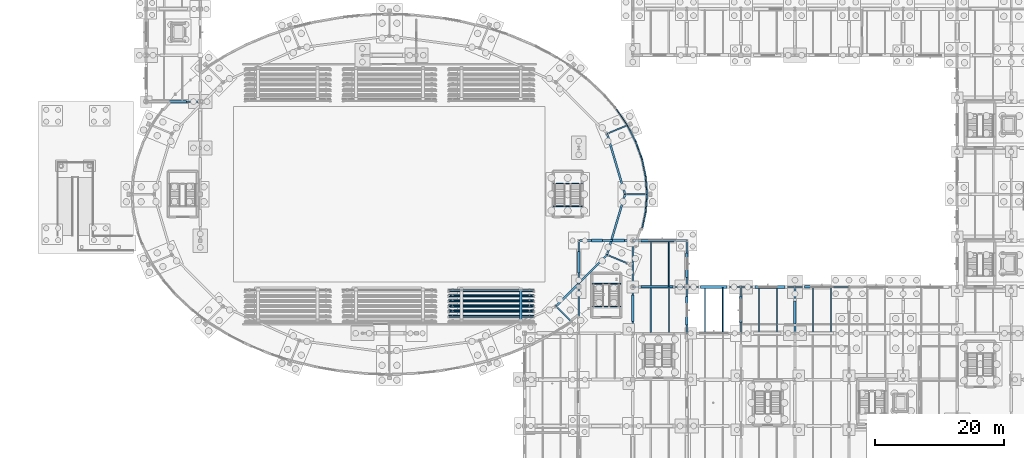
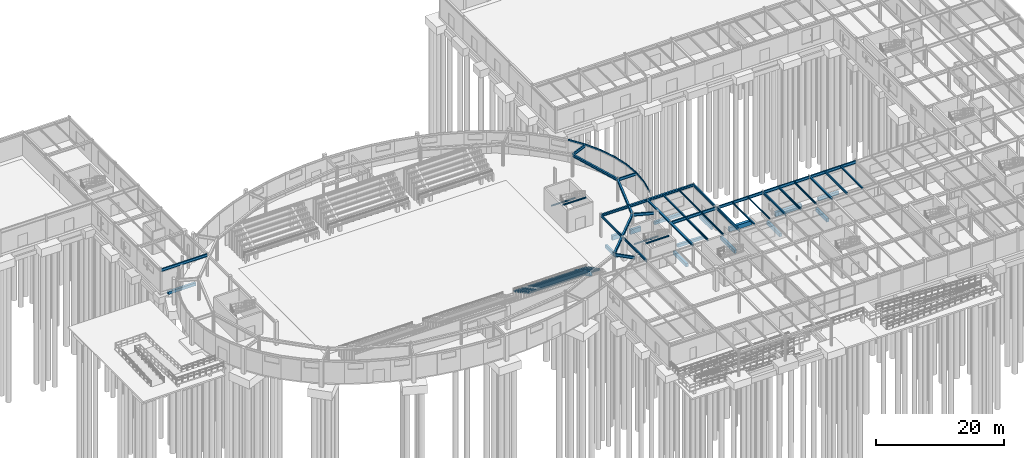
# One storey, part 38 of 93: 70 beams.
"""IFC4 building model written with IfcOpenShell, lengths in metres."""

from ifc_helpers import new_model, si_unit, derived_unit, direction, frame, origin, origin_2d, place, context, subcontext, project, spatial, rectangle, hollow_rectangle, i_section, extrude, material, material_profile, profile_set, type_object, element, save


model = new_model("IFC4")

# Units and contexts
model_context = context("Model", 3, precision=1e-05, world=origin(), true_north=direction((0.0, 1.0)))
body_context = subcontext(model_context, "Body", "Model", "MODEL_VIEW")
ifc_project = project(units=[si_unit("LENGTHUNIT", "METRE"), si_unit("AREAUNIT", "SQUARE_METRE"), si_unit("VOLUMEUNIT", "CUBIC_METRE"), si_unit("PLANEANGLEUNIT", "RADIAN"), si_unit("MASSUNIT", "GRAM", prefix="KILO"), derived_unit("THERMALTRANSMITTANCEUNIT", [(si_unit("MASSUNIT", "GRAM", prefix="KILO"), 1), (si_unit("TIMEUNIT", "SECOND"), -3), (si_unit("THERMODYNAMICTEMPERATUREUNIT", "KELVIN"), -1)])], contexts=[model_context])

# Site, building, storey
site_placement = place(None, origin())
site = spatial("IfcSite", under=ifc_project, at=site_placement, CompositionType="ELEMENT")
building_placement = place(site_placement, origin())
building = spatial("IfcBuilding", under=site, at=building_placement, Name="Kharveza Railside Sports Centre", CompositionType="ELEMENT")
storey_placement = place(building_placement, origin())
storey = spatial("IfcBuildingStorey", under=building, at=storey_placement, Name="L00", CompositionType="ELEMENT", Elevation=0.0)

# Beams
ifc_material_1 = material(Name="Steel S355J2", Category="steel")
ifc_material_profile_1 = material_profile(ifc_material_1, i_section(OverallWidth=0.2099609375, OverallDepth=0.550048828125, WebThickness=0.010986328125, FlangeThickness=0.01708984375, FilletRadius=0.02392578125, at=origin_2d()), Name="IPE 550")
ifc_profile_set_1 = profile_set([ifc_material_profile_1], Name="Steel S355J2")
beam_type_1 = type_object("IfcBeamType", Name="BM-G02", PredefinedType="T_BEAM", material=ifc_profile_set_1)
beam_1_placement = place(storey_placement, frame((16.800048828125, 64.800048828125, 4.044921875), z_axis=(1.0, 0.0, 0.0), x_axis=(0.0, 1.0, 0.0)))
element("IfcBeam", 1, at=beam_1_placement, inside=storey, type_object=beam_type_1, Name="BM-EW-L00-B02-X168-Y648", PredefinedType="T_BEAM", context=body_context, shape_type="SweptSolid", body=[
    extrude(i_section(OverallWidth=0.2099609375, OverallDepth=0.550048828125, WebThickness=0.010986328125, FlangeThickness=0.01708984375, FilletRadius=0.02392578125, at=origin_2d()), origin(), (0.0, 0.0, 1.0), 8.39990234375),
])
beam_2_placement = place(storey_placement, frame((92.39990234375, 36.0, 4.044921875), z_axis=(1.0, 0.0, 0.0), x_axis=(0.0, 1.0, 0.0)))
element("IfcBeam", 2, at=beam_2_placement, inside=storey, type_object=beam_type_1, Name="BM-EW-L00-B02-X924-Y360", PredefinedType="T_BEAM", context=body_context, shape_type="SweptSolid", body=[
    extrude(i_section(OverallWidth=0.2099609375, OverallDepth=0.550048828125, WebThickness=0.010986328125, FlangeThickness=0.01708984375, FilletRadius=0.02392578125, at=origin_2d()), origin(), (0.0, 0.0, 1.0), 8.400146484375),
])
beam_3_placement = place(storey_placement, frame((100.800048828125, 36.0, 4.044921875), z_axis=(1.0, 0.0, 0.0), x_axis=(0.0, 1.0, 0.0)))
element("IfcBeam", 3, at=beam_3_placement, inside=storey, type_object=beam_type_1, Name="BM-EW-L00-B02-X1008-Y360", PredefinedType="T_BEAM", context=body_context, shape_type="SweptSolid", body=[
    extrude(i_section(OverallWidth=0.2099609375, OverallDepth=0.550048828125, WebThickness=0.010986328125, FlangeThickness=0.01708984375, FilletRadius=0.02392578125, at=origin_2d()), origin(), (0.0, 0.0, 1.0), 8.39990234375),
])
beam_4_placement = place(storey_placement, frame((109.199951171875, 36.0, 4.044921875), z_axis=(1.0, 0.0, 0.0), x_axis=(0.0, 1.0, 0.0)))
element("IfcBeam", 4, at=beam_4_placement, inside=storey, type_object=beam_type_1, Name="BM-EW-L00-B02-X1092-Y360", PredefinedType="T_BEAM", context=body_context, shape_type="SweptSolid", body=[
    extrude(i_section(OverallWidth=0.2099609375, OverallDepth=0.550048828125, WebThickness=0.010986328125, FlangeThickness=0.01708984375, FilletRadius=0.02392578125, at=origin_2d()), origin(), (0.0, 0.0, 1.0), 8.400146484375),
])
beam_5_placement = place(storey_placement, frame((117.60009765625, 36.0, 4.044921875), z_axis=(1.0, 0.0, 0.0), x_axis=(0.0, 1.0, 0.0)))
element("IfcBeam", 5, at=beam_5_placement, inside=storey, type_object=beam_type_1, Name="BM-EW-L00-B02-X1176-Y360", PredefinedType="T_BEAM", context=body_context, shape_type="SweptSolid", body=[
    extrude(i_section(OverallWidth=0.2099609375, OverallDepth=0.550048828125, WebThickness=0.010986328125, FlangeThickness=0.01708984375, FilletRadius=0.02392578125, at=origin_2d()), origin(), (0.0, 0.0, 1.0), 8.39990234375),
])
beam_6_placement = place(storey_placement, frame((91.199951171875, 50.39990234375, 4.0400390625), z_axis=(1.0, 0.0, 0.0), x_axis=(0.0, 1.0, 0.0)))
element("IfcBeam", 6, at=beam_6_placement, inside=storey, type_object=beam_type_1, Name="BM-DRAD-L00-01", PredefinedType="T_BEAM", context=body_context, shape_type="SweptSolid", body=[
    extrude(i_section(OverallWidth=0.2099609375, OverallDepth=0.550048828125, WebThickness=0.010986328125, FlangeThickness=0.01708984375, FilletRadius=0.02392578125, at=origin_2d()), origin(), (0.0, 0.0, 1.0), 3.400146484375),
])
for number, where, z_axis, x_axis, name in (
    (7, (88.4140625, 59.81396484375, 4.0400390625), (0.92388643014, 0.382666779591, 0.0), (-0.382666779591, 0.92388643014, 0.0), "BM-DRAD-L00-02"),
    (8, (80.47998046875, 33.005126953125, 4.0400390625), (0.707142683133, -0.707070877417, 0.0), (0.707070877417, 0.707142683133, 0.0), "BM-DRAD-L00-15"),
    (9, (88.4140625, 40.986083984375, 4.0400390625), (0.923861041629, -0.382728070254, 0.0), (0.382728070254, 0.923861041629, 0.0), "BM-DRAD-L00-16"),
):
    element("IfcBeam", number, at=place(storey_placement, frame(where, z_axis=z_axis, x_axis=x_axis)), inside=storey, type_object=beam_type_1, Name=name, PredefinedType="T_BEAM", context=body_context, shape_type="SweptSolid", body=[
        extrude(i_section(OverallWidth=0.2099609375, OverallDepth=0.550048828125, WebThickness=0.010986328125, FlangeThickness=0.01708984375, FilletRadius=0.02392578125, at=origin_2d()), origin(), (0.0, 0.0, 1.0), 3.39990234375),
    ])
ifc_material_profile_2 = material_profile(ifc_material_1, i_section(OverallWidth=0.199951171875, OverallDepth=0.5, WebThickness=0.01025390625, FlangeThickness=0.01611328125, FilletRadius=0.02099609375, at=origin_2d()), Name="IPE 500")
ifc_profile_set_2 = profile_set([ifc_material_profile_2], Name="Steel S355J2")
beam_type_2 = type_object("IfcBeamType", Name="BM-G03", PredefinedType="T_BEAM", material=ifc_profile_set_2)
for number, where, z_axis, x_axis, name in (
    (10, (100.800048828125, 28.800048828125, 4.070068359375), (0.0, 1.0, 0.0), (-1.0, 0.0, 0.0), "BM-NS-L00-B03-X1008-Y288"),
    (11, (100.800048828125, 36.0, 4.070068359375), (0.0, 1.0, 0.0), (-1.0, 0.0, 0.0), "BM-NS-L00-B03-X1008-Y360"),
):
    element("IfcBeam", number, at=place(storey_placement, frame(where, z_axis=z_axis, x_axis=x_axis)), inside=storey, type_object=beam_type_2, Name=name, PredefinedType="T_BEAM", context=body_context, shape_type="SweptSolid", body=[
        extrude(i_section(OverallWidth=0.199951171875, OverallDepth=0.5, WebThickness=0.01025390625, FlangeThickness=0.01611328125, FilletRadius=0.02099609375, at=origin_2d()), origin(), (0.0, 0.0, 1.0), 7.199951171875),
    ])
ifc_material_profile_3 = material_profile(ifc_material_1, i_section(OverallWidth=0.18994140625, OverallDepth=0.449951171875, WebThickness=0.009521484375, FlangeThickness=0.0146484375, FilletRadius=0.02099609375, at=origin_2d()), Name="IPE 450")
ifc_profile_set_3 = profile_set([ifc_material_profile_3], Name="Steel S355J2")
beam_type_3 = type_object("IfcBeamType", Name="BM-G04", PredefinedType="T_BEAM", material=ifc_profile_set_3)
for number, where, z_axis, x_axis, name in (
    (12, (84.0, 28.800048828125, 4.094970703125), (0.0, 1.0, 0.0), (-1.0, 0.0, 0.0), "BM-NS-L00-B04-X840-Y288"),
    (13, (84.0, 36.0, 4.094970703125), (0.0, 1.0, 0.0), (-1.0, 0.0, 0.0), "BM-NS-L00-B04-X840-Y360"),
    (14, (109.199951171875, 28.800048828125, 4.094970703125), (0.0, 1.0, 0.0), (-1.0, 0.0, 0.0), "BM-NS-L00-B04-X1092-Y288"),
):
    element("IfcBeam", number, at=place(storey_placement, frame(where, z_axis=z_axis, x_axis=x_axis)), inside=storey, type_object=beam_type_3, Name=name, PredefinedType="T_BEAM", context=body_context, shape_type="SweptSolid", body=[
        extrude(i_section(OverallWidth=0.18994140625, OverallDepth=0.449951171875, WebThickness=0.009521484375, FlangeThickness=0.0146484375, FilletRadius=0.02099609375, at=origin_2d()), origin(), (0.0, 0.0, 1.0), 7.199951171875),
    ])
ifc_material_profile_4 = material_profile(ifc_material_1, i_section(OverallWidth=0.300048828125, OverallDepth=0.449951171875, WebThickness=0.013916015625, FlangeThickness=0.02587890625, FilletRadius=0.027099609375, at=origin_2d()), Name="HEB 450")
ifc_profile_set_4 = profile_set([ifc_material_profile_4], Name="Steel S355J2")
beam_type_4 = type_object("IfcBeamType", Name="BM-G06", PredefinedType="T_BEAM", material=ifc_profile_set_4)
beam_7_placement = place(storey_placement, frame((84.0, 43.199951171875, 4.094970703125), z_axis=(1.0, 0.0, 0.0), x_axis=(0.0, 1.0, 0.0)))
element("IfcBeam", 15, at=beam_7_placement, inside=storey, type_object=beam_type_4, Name="BM-EW-L00-B06-X840-Y432", PredefinedType="T_BEAM", context=body_context, shape_type="SweptSolid", body=[
    extrude(i_section(OverallWidth=0.300048828125, OverallDepth=0.449951171875, WebThickness=0.013916015625, FlangeThickness=0.02587890625, FilletRadius=0.027099609375, at=origin_2d()), origin(), (0.0, 0.0, 1.0), 8.39990234375),
])
beam_8_placement = place(storey_placement, frame((92.39990234375, 43.199951171875, 4.094970703125), z_axis=(1.0, 0.0, 0.0), x_axis=(0.0, 1.0, 0.0)))
element("IfcBeam", 16, at=beam_8_placement, inside=storey, type_object=beam_type_4, Name="BM-EW-L00-B06-X924-Y432", PredefinedType="T_BEAM", context=body_context, shape_type="SweptSolid", body=[
    extrude(i_section(OverallWidth=0.300048828125, OverallDepth=0.449951171875, WebThickness=0.013916015625, FlangeThickness=0.02587890625, FilletRadius=0.027099609375, at=origin_2d()), origin(), (0.0, 0.0, 1.0), 8.400146484375),
])
ifc_material_profile_5 = material_profile(ifc_material_1, i_section(OverallWidth=0.300048828125, OverallDepth=0.489990234375, WebThickness=0.011962890625, FlangeThickness=0.02294921875, FilletRadius=0.027099609375, at=origin_2d()), Name="HEA 500")
ifc_profile_set_5 = profile_set([ifc_material_profile_5], Name="Steel S355J2")
beam_type_5 = type_object("IfcBeamType", Name="BM-G08", PredefinedType="T_BEAM", material=ifc_profile_set_5)
beam_9_placement = place(storey_placement, frame((91.199951171875, 50.39990234375, 4.070068359375), z_axis=(-0.283764031332, 0.958894141458, 0.0), x_axis=(-0.958894141458, -0.283764031332, 0.0)))
element("IfcBeam", 17, at=beam_9_placement, inside=storey, type_object=beam_type_5, Name="BM-DRING-L00-01", PredefinedType="T_BEAM", context=body_context, shape_type="SweptSolid", body=[
    extrude(i_section(OverallWidth=0.300048828125, OverallDepth=0.489990234375, WebThickness=0.011962890625, FlangeThickness=0.02294921875, FilletRadius=0.027099609375, at=origin_2d()), origin(), (0.0, 0.0, 1.0), 9.817626953125),
])
beam_10_placement = place(storey_placement, frame((80.47998046875, 33.005126953125, 4.070068359375), z_axis=(0.705021062231, 0.709186366064, 0.0), x_axis=(-0.709186366064, 0.705021062231, 0.0)))
element("IfcBeam", 18, at=beam_10_placement, inside=storey, type_object=beam_type_5, Name="BM-DRING-L00-15", PredefinedType="T_BEAM", context=body_context, shape_type="SweptSolid", body=[
    extrude(i_section(OverallWidth=0.300048828125, OverallDepth=0.489990234375, WebThickness=0.011962890625, FlangeThickness=0.02294921875, FilletRadius=0.027099609375, at=origin_2d()), origin(), (0.0, 0.0, 1.0), 11.253662109375),
])
beam_11_placement = place(storey_placement, frame((88.4140625, 40.986083984375, 4.070068359375), z_axis=(0.283770797949, 0.958892138998, 0.0), x_axis=(-0.958892138998, 0.283770797949, 0.0)))
element("IfcBeam", 19, at=beam_11_placement, inside=storey, type_object=beam_type_5, Name="BM-DRING-L00-16", PredefinedType="T_BEAM", context=body_context, shape_type="SweptSolid", body=[
    extrude(i_section(OverallWidth=0.300048828125, OverallDepth=0.489990234375, WebThickness=0.011962890625, FlangeThickness=0.02294921875, FilletRadius=0.027099609375, at=origin_2d()), origin(), (0.0, 0.0, 1.0), 9.8173828125),
])
ifc_material_2 = material(Name="Concrete C35/45", Category="concrete")
ifc_material_profile_6 = material_profile(ifc_material_2, rectangle(XDim=0.5, YDim=0.800048828125, at=origin_2d()), Name="RCB 500x800")
ifc_profile_set_6 = profile_set([ifc_material_profile_6], Name="Concrete C35/45")
beam_type_6 = type_object("IfcBeamType", Name="BM-RC01", PredefinedType="T_BEAM", material=ifc_profile_set_6)
beam_12_placement = place(storey_placement, frame((102.9599609375, 36.0, -0.820068359375), z_axis=(1.0, 0.0, 0.0), x_axis=(0.0, 1.0, 0.0)))
element("IfcBeam", 20, at=beam_12_placement, inside=storey, type_object=beam_type_6, Name="BM-PLINTH-EW-B25-X1008-Y360-1", PredefinedType="T_BEAM", context=body_context, shape_type="SweptSolid", body=[
    extrude(rectangle(XDim=0.5, YDim=0.800048828125, at=origin_2d()), origin(), (0.0, 0.0, 1.0), 4.080078125),
])
ifc_material_profile_7 = material_profile(ifc_material_2, rectangle(XDim=0.39990234375, YDim=0.64990234375, at=origin_2d()), Name="RCB 400x650")
ifc_profile_set_7 = profile_set([ifc_material_profile_7], Name="Concrete C35/45")
beam_type_7 = type_object("IfcBeamType", Name="BM-RC02", PredefinedType="BEAM", material=ifc_profile_set_7)
beam_13_placement = place(storey_placement, frame((92.39990234375, 30.659912109375, -0.7451171875), z_axis=(0.0, 1.0, 0.0), x_axis=(-1.0, 0.0, 0.0)))
element("IfcBeam", 21, at=beam_13_placement, inside=storey, type_object=beam_type_7, Name="BM-PLINTH-NS-B26-X924-Y288-1", PredefinedType="BEAM", context=body_context, shape_type="SweptSolid", body=[
    extrude(rectangle(XDim=0.39990234375, YDim=0.64990234375, at=origin_2d()), origin(), (0.0, 0.0, 1.0), 4.080078125),
])
beam_14_placement = place(storey_placement, frame((100.800048828125, 30.06005859375, -0.7451171875), z_axis=(0.0, 1.0, 0.0), x_axis=(-1.0, 0.0, 0.0)))
element("IfcBeam", 22, at=beam_14_placement, inside=storey, type_object=beam_type_7, Name="BM-PLINTH-NS-B26-X1008-Y288-1", PredefinedType="BEAM", context=body_context, shape_type="SweptSolid", body=[
    extrude(rectangle(XDim=0.39990234375, YDim=0.64990234375, at=origin_2d()), origin(), (0.0, 0.0, 1.0), 4.47998046875),
])
beam_15_placement = place(storey_placement, frame((109.199951171875, 30.4599609375, -0.7451171875), z_axis=(0.0, 1.0, 0.0), x_axis=(-1.0, 0.0, 0.0)))
element("IfcBeam", 23, at=beam_15_placement, inside=storey, type_object=beam_type_7, Name="BM-PLINTH-NS-B26-X1092-Y288-1", PredefinedType="BEAM", context=body_context, shape_type="SweptSolid", body=[
    extrude(rectangle(XDim=0.39990234375, YDim=0.64990234375, at=origin_2d()), origin(), (0.0, 0.0, 1.0), 4.080078125),
])
beam_16_placement = place(storey_placement, frame((117.60009765625, 30.260009765625, -0.7451171875), z_axis=(0.0, 1.0, 0.0), x_axis=(-1.0, 0.0, 0.0)))
element("IfcBeam", 24, at=beam_16_placement, inside=storey, type_object=beam_type_7, Name="BM-PLINTH-NS-B26-X1176-Y288-1", PredefinedType="BEAM", context=body_context, shape_type="SweptSolid", body=[
    extrude(rectangle(XDim=0.39990234375, YDim=0.64990234375, at=origin_2d()), origin(), (0.0, 0.0, 1.0), 3.554931640625),
])
ifc_material_3 = material(Name="Precast concrete C40/50", Category="concrete")
ifc_material_profile_8 = material_profile(ifc_material_3, rectangle(XDim=0.449951171875, YDim=0.75, at=origin_2d()), Name="RCB 450x750")
ifc_profile_set_8 = profile_set([ifc_material_profile_8], Name="Precast concrete C40/50")
beam_type_8 = type_object("IfcBeamType", Name="BM-RC04", PredefinedType="BEAM", material=ifc_profile_set_8)
beam_17_placement = place(storey_placement, frame((75.0, 30.800048828125, 3.6298828125), z_axis=(0.0, 0.883895060385, -0.467685281175), x_axis=(-1.0, 0.0, 0.0)))
element("IfcBeam", 25, at=beam_17_placement, inside=storey, type_object=beam_type_8, Name="BM-RAKER-S-06", PredefinedType="BEAM", context=body_context, shape_type="SweptSolid", body=[
    extrude(rectangle(XDim=0.449951171875, YDim=0.75, at=origin_2d()), origin(), (0.0, 0.0, 1.0), 5.4306640625),
])
ifc_material_profile_9 = material_profile(ifc_material_2, rectangle(XDim=0.449951171875, YDim=0.85009765625, at=origin_2d()), Name="RCB 450x850")
ifc_profile_set_9 = profile_set([ifc_material_profile_9], Name="Concrete C35/45")
beam_type_9 = type_object("IfcBeamType", Name="BM-RC05", PredefinedType="T_BEAM", material=ifc_profile_set_9)
beam_18_placement = place(storey_placement, frame((85.9599609375, 43.199951171875, -0.844970703125), z_axis=(1.0, 0.0, 0.0), x_axis=(0.0, 1.0, 0.0)))
element("IfcBeam", 26, at=beam_18_placement, inside=storey, type_object=beam_type_9, Name="BM-PLINTH-EW-B29-X840-Y432-1", PredefinedType="T_BEAM", context=body_context, shape_type="SweptSolid", body=[
    extrude(rectangle(XDim=0.449951171875, YDim=0.85009765625, at=origin_2d()), origin(), (0.0, 0.0, 1.0), 1.763916015625),
])
beam_19_placement = place(storey_placement, frame((89.23583984375, 43.199951171875, -0.844970703125), z_axis=(1.0, 0.0, 0.0), x_axis=(0.0, 1.0, 0.0)))
element("IfcBeam", 27, at=beam_19_placement, inside=storey, type_object=beam_type_9, Name="BM-PLINTH-EW-B29-X840-Y432-2", PredefinedType="T_BEAM", context=body_context, shape_type="SweptSolid", body=[
    extrude(rectangle(XDim=0.449951171875, YDim=0.85009765625, at=origin_2d()), origin(), (0.0, 0.0, 1.0), 1.904052734375),
])
beam_20_placement = place(storey_placement, frame((111.360107421875, 36.0, -0.844970703125), z_axis=(1.0, 0.0, 0.0), x_axis=(0.0, 1.0, 0.0)))
element("IfcBeam", 28, at=beam_20_placement, inside=storey, type_object=beam_type_9, Name="BM-PLINTH-EW-B29-X1092-Y360-1", PredefinedType="T_BEAM", context=body_context, shape_type="SweptSolid", body=[
    extrude(rectangle(XDim=0.449951171875, YDim=0.85009765625, at=origin_2d()), origin(), (0.0, 0.0, 1.0), 4.72998046875),
])
ifc_material_profile_10 = material_profile(ifc_material_2, rectangle(XDim=0.35009765625, YDim=0.60009765625, at=origin_2d()), Name="RCB 350x600")
ifc_profile_set_10 = profile_set([ifc_material_profile_10], Name="Concrete C35/45")
beam_type_10 = type_object("IfcBeamType", Name="BM-RC06", PredefinedType="BEAM", material=ifc_profile_set_10)
beam_21_placement = place(storey_placement, frame((84.0, 38.18505859375, -0.719970703125), z_axis=(0.0, 1.0, 0.0), x_axis=(-1.0, 0.0, 0.0)))
element("IfcBeam", 29, at=beam_21_placement, inside=storey, type_object=beam_type_10, Name="BM-PLINTH-NS-B30-X840-Y360-1", PredefinedType="BEAM", context=body_context, shape_type="SweptSolid", body=[
    extrude(rectangle(XDim=0.35009765625, YDim=0.60009765625, at=origin_2d()), origin(), (0.0, 0.0, 1.0), 3.35498046875),
])
beam_22_placement = place(storey_placement, frame((100.800048828125, 37.4599609375, -0.719970703125), z_axis=(0.0, 1.0, 0.0), x_axis=(-1.0, 0.0, 0.0)))
element("IfcBeam", 30, at=beam_22_placement, inside=storey, type_object=beam_type_10, Name="BM-PLINTH-NS-B30-X1008-Y360-1", PredefinedType="BEAM", context=body_context, shape_type="SweptSolid", body=[
    extrude(rectangle(XDim=0.35009765625, YDim=0.60009765625, at=origin_2d()), origin(), (0.0, 0.0, 1.0), 3.780029296875),
])
ifc_material_profile_11 = material_profile(ifc_material_2, rectangle(XDim=0.39990234375, YDim=0.550048828125, at=origin_2d()), Name="RCB 400x550")
ifc_profile_set_11 = profile_set([ifc_material_profile_11], Name="Concrete C35/45")
beam_type_11 = type_object("IfcBeamType", Name="BM-RC07", PredefinedType="LINTEL", material=ifc_profile_set_11)
for number, where, z_axis, x_axis, name in (
    (31, (18.06005859375, 64.800048828125, -0.695068359375), (1.0, 0.0, 0.0), (0.0, 1.0, 0.0), "BM-PLINTH-EW-B31-X168-Y648-1"),
    (32, (93.659912109375, 36.0, -0.695068359375), (1.0, 0.0, 0.0), (0.0, 1.0, 0.0), "BM-PLINTH-EW-B31-X924-Y360-1"),
):
    element("IfcBeam", number, at=place(storey_placement, frame(where, z_axis=z_axis, x_axis=x_axis)), inside=storey, type_object=beam_type_11, Name=name, PredefinedType="LINTEL", context=body_context, shape_type="SweptSolid", body=[
        extrude(rectangle(XDim=0.39990234375, YDim=0.550048828125, at=origin_2d()), origin(), (0.0, 0.0, 1.0), 4.97998046875),
    ])
beam_23_placement = place(storey_placement, frame((93.659912109375, 43.199951171875, -0.695068359375), z_axis=(1.0, 0.0, 0.0), x_axis=(0.0, 1.0, 0.0)))
element("IfcBeam", 33, at=beam_23_placement, inside=storey, type_object=beam_type_11, Name="BM-PLINTH-EW-B31-X924-Y432-1", PredefinedType="LINTEL", context=body_context, shape_type="SweptSolid", body=[
    extrude(rectangle(XDim=0.39990234375, YDim=0.550048828125, at=origin_2d()), origin(), (0.0, 0.0, 1.0), 5.18017578125),
])
beam_24_placement = place(storey_placement, frame((119.110107421875, 36.0, -0.695068359375), z_axis=(1.0, 0.0, 0.0), x_axis=(0.0, 1.0, 0.0)))
element("IfcBeam", 34, at=beam_24_placement, inside=storey, type_object=beam_type_11, Name="BM-PLINTH-EW-B31-X1176-Y360-1", PredefinedType="LINTEL", context=body_context, shape_type="SweptSolid", body=[
    extrude(rectangle(XDim=0.39990234375, YDim=0.550048828125, at=origin_2d()), origin(), (0.0, 0.0, 1.0), 3.72998046875),
])
ifc_material_profile_12 = material_profile(ifc_material_1, i_section(OverallWidth=0.179931640625, OverallDepth=0.39990234375, WebThickness=0.008544921875, FlangeThickness=0.013427734375, FilletRadius=0.02099609375, at=origin_2d()), Name="IPE 400")
ifc_profile_set_12 = profile_set([ifc_material_profile_12], Name="Steel S355J2")
beam_type_12 = type_object("IfcBeamType", Name="BM-S01", PredefinedType="BEAM", material=ifc_profile_set_12)
for number, where, z_axis, x_axis, name in (
    (35, (95.199951171875, 28.906982421875, 4.1201171875), (0.0, 1.0, 0.0), (-1.0, 0.0, 0.0), "BM-SEC-L00-B09-X952-Y288"),
    (36, (112.0, 28.906982421875, 4.1201171875), (0.0, 1.0, 0.0), (-1.0, 0.0, 0.0), "BM-SEC-L00-B09-X1120-Y288"),
    (37, (120.39990234375, 28.906982421875, 4.1201171875), (0.0, 1.0, 0.0), (-1.0, 0.0, 0.0), "BM-SEC-L00-B09-X1204-Y288"),
):
    element("IfcBeam", number, at=place(storey_placement, frame(where, z_axis=z_axis, x_axis=x_axis)), inside=storey, type_object=beam_type_12, Name=name, PredefinedType="BEAM", context=body_context, shape_type="SweptSolid", body=[
        extrude(i_section(OverallWidth=0.179931640625, OverallDepth=0.39990234375, WebThickness=0.008544921875, FlangeThickness=0.013427734375, FilletRadius=0.02099609375, at=origin_2d()), origin(), (0.0, 0.0, 1.0), 6.990966796875),
    ])
ifc_material_profile_13 = material_profile(ifc_material_1, i_section(OverallWidth=0.159912109375, OverallDepth=0.330078125, WebThickness=0.007568359375, FlangeThickness=0.011474609375, FilletRadius=0.01806640625, at=origin_2d()), Name="IPE 330")
ifc_profile_set_13 = profile_set([ifc_material_profile_13], Name="Steel S355J2")
beam_type_13 = type_object("IfcBeamType", Name="BM-S03", PredefinedType="BEAM", material=ifc_profile_set_13)
beam_25_placement = place(storey_placement, frame((98.0, 28.906982421875, 4.155029296875), z_axis=(0.0, 1.0, 0.0), x_axis=(-1.0, 0.0, 0.0)))
element("IfcBeam", 38, at=beam_25_placement, inside=storey, type_object=beam_type_13, Name="BM-SEC-L00-B11-X980-Y288", PredefinedType="BEAM", context=body_context, shape_type="SweptSolid", body=[
    extrude(i_section(OverallWidth=0.159912109375, OverallDepth=0.330078125, WebThickness=0.007568359375, FlangeThickness=0.011474609375, FilletRadius=0.01806640625, at=origin_2d()), origin(), (0.0, 0.0, 1.0), 6.990966796875),
])
beam_26_placement = place(storey_placement, frame((95.199951171875, 36.10205078125, 4.155029296875), z_axis=(0.0, 1.0, 0.0), x_axis=(-1.0, 0.0, 0.0)))
element("IfcBeam", 39, at=beam_26_placement, inside=storey, type_object=beam_type_13, Name="BM-SEC-L00-B11-X952-Y360", PredefinedType="BEAM", context=body_context, shape_type="SweptSolid", body=[
    extrude(i_section(OverallWidth=0.159912109375, OverallDepth=0.330078125, WebThickness=0.007568359375, FlangeThickness=0.011474609375, FilletRadius=0.01806640625, at=origin_2d()), origin(), (0.0, 0.0, 1.0), 6.950927734375),
])
for number, where, z_axis, x_axis, name in (
    (40, (103.60009765625, 28.906982421875, 4.155029296875), (0.0, 1.0, 0.0), (-1.0, 0.0, 0.0), "BM-SEC-L00-B11-X1036-Y288"),
    (41, (114.800048828125, 28.906982421875, 4.155029296875), (0.0, 1.0, 0.0), (-1.0, 0.0, 0.0), "BM-SEC-L00-B11-X1148-Y288"),
    (42, (123.199951171875, 28.906982421875, 4.155029296875), (0.0, 1.0, 0.0), (-1.0, 0.0, 0.0), "BM-SEC-L00-B11-X1232-Y288"),
):
    element("IfcBeam", number, at=place(storey_placement, frame(where, z_axis=z_axis, x_axis=x_axis)), inside=storey, type_object=beam_type_13, Name=name, PredefinedType="BEAM", context=body_context, shape_type="SweptSolid", body=[
        extrude(i_section(OverallWidth=0.159912109375, OverallDepth=0.330078125, WebThickness=0.007568359375, FlangeThickness=0.011474609375, FilletRadius=0.01806640625, at=origin_2d()), origin(), (0.0, 0.0, 1.0), 6.990966796875),
    ])
ifc_material_profile_14 = material_profile(ifc_material_1, i_section(OverallWidth=0.135009765625, OverallDepth=0.27001953125, WebThickness=0.006591796875, FlangeThickness=0.01025390625, FilletRadius=0.014892578125, at=origin_2d()), Name="IPE 270")
ifc_profile_set_14 = profile_set([ifc_material_profile_14], Name="Steel S355J2")
beam_type_14 = type_object("IfcBeamType", Name="BM-S05", PredefinedType="BEAM", material=ifc_profile_set_14)
for number, where, z_axis, x_axis, name in (
    (43, (63.800048828125, 31.340087890625, 3.43505859375), (1.0, 0.0, 0.0), (0.0, 1.0, 0.0), "BM-TSTR-S02-S3-1"),
    (44, (63.800048828125, 31.56005859375, 3.43505859375), (1.0, 0.0, 0.0), (0.0, 1.0, 0.0), "BM-TSTR-S02-S3-2"),
    (45, (63.800048828125, 32.139892578125, 3.014892578125), (1.0, 0.0, 0.0), (0.0, 1.0, 0.0), "BM-TSTR-S03-S3-1"),
    (46, (63.800048828125, 32.360107421875, 3.014892578125), (1.0, 0.0, 0.0), (0.0, 1.0, 0.0), "BM-TSTR-S03-S3-2"),
    (47, (63.800048828125, 32.93994140625, 2.594970703125), (1.0, 0.0, 0.0), (0.0, 1.0, 0.0), "BM-TSTR-S04-S3-1"),
    (48, (63.800048828125, 33.159912109375, 2.594970703125), (1.0, 0.0, 0.0), (0.0, 1.0, 0.0), "BM-TSTR-S04-S3-2"),
    (49, (63.800048828125, 33.739990234375, 2.156982421875), (1.0, 0.0, 0.0), (0.0, 1.0, 0.0), "BM-TSTR-S05-S3-1"),
    (50, (63.800048828125, 33.9599609375, 2.156982421875), (1.0, 0.0, 0.0), (0.0, 1.0, 0.0), "BM-TSTR-S05-S3-2"),
    (51, (63.800048828125, 34.5400390625, 1.737060546875), (1.0, 0.0, 0.0), (0.0, 1.0, 0.0), "BM-TSTR-S06-S3-1"),
    (52, (63.800048828125, 34.760009765625, 1.737060546875), (1.0, 0.0, 0.0), (0.0, 1.0, 0.0), "BM-TSTR-S06-S3-2"),
    (53, (63.800048828125, 35.340087890625, 1.31689453125), (1.0, 0.0, 0.0), (0.0, 1.0, 0.0), "BM-TSTR-S07-S3-1"),
    (54, (63.800048828125, 35.56005859375, 1.31689453125), (1.0, 0.0, 0.0), (0.0, 1.0, 0.0), "BM-TSTR-S07-S3-2"),
):
    element("IfcBeam", number, at=place(storey_placement, frame(where, z_axis=z_axis, x_axis=x_axis)), inside=storey, type_object=beam_type_14, Name=name, PredefinedType="BEAM", context=body_context, shape_type="SweptSolid", body=[
        extrude(i_section(OverallWidth=0.135009765625, OverallDepth=0.27001953125, WebThickness=0.006591796875, FlangeThickness=0.01025390625, FilletRadius=0.014892578125, at=origin_2d()), origin(), (0.0, 0.0, 1.0), 13.199951171875),
    ])
beam_27_placement = place(storey_placement, frame((98.0, 36.10205078125, 4.18505859375), z_axis=(0.0, 1.0, 0.0), x_axis=(-1.0, 0.0, 0.0)))
element("IfcBeam", 55, at=beam_27_placement, inside=storey, type_object=beam_type_14, Name="BM-SEC-L00-B13-X980-Y360", PredefinedType="BEAM", context=body_context, shape_type="SweptSolid", body=[
    extrude(i_section(OverallWidth=0.135009765625, OverallDepth=0.27001953125, WebThickness=0.006591796875, FlangeThickness=0.01025390625, FilletRadius=0.014892578125, at=origin_2d()), origin(), (0.0, 0.0, 1.0), 6.950927734375),
])
beam_28_placement = place(storey_placement, frame((106.39990234375, 28.906982421875, 4.18505859375), z_axis=(0.0, 1.0, 0.0), x_axis=(-1.0, 0.0, 0.0)))
element("IfcBeam", 56, at=beam_28_placement, inside=storey, type_object=beam_type_14, Name="BM-SEC-L00-B13-X1064-Y288", PredefinedType="BEAM", context=body_context, shape_type="SweptSolid", body=[
    extrude(i_section(OverallWidth=0.135009765625, OverallDepth=0.27001953125, WebThickness=0.006591796875, FlangeThickness=0.01025390625, FilletRadius=0.014892578125, at=origin_2d()), origin(), (0.0, 0.0, 1.0), 6.990966796875),
])
for number, where, z_axis, x_axis, name in (
    (57, (80.080078125, 52.080078125, 1.929931640625), (1.0, 0.0, 0.0), (0.0, 1.0, 0.0), "BM-HLND-ST8-L00"),
    (58, (80.080078125, 48.56005859375, 4.179931640625), (1.0, 0.0, 0.0), (0.0, 1.0, 0.0), "BM-STLND-ST8-L01"),
    (59, (86.080078125, 36.47998046875, 1.929931640625), (1.0, 0.0, 0.0), (0.0, 1.0, 0.0), "BM-HLND-ST9-L00"),
    (60, (86.080078125, 32.9599609375, 4.179931640625), (1.0, 0.0, 0.0), (0.0, 1.0, 0.0), "BM-STLND-ST9-L01"),
):
    element("IfcBeam", number, at=place(storey_placement, frame(where, z_axis=z_axis, x_axis=x_axis)), inside=storey, type_object=beam_type_14, Name=name, PredefinedType="BEAM", context=body_context, shape_type="SweptSolid", body=[
        extrude(i_section(OverallWidth=0.135009765625, OverallDepth=0.27001953125, WebThickness=0.006591796875, FlangeThickness=0.01025390625, FilletRadius=0.014892578125, at=origin_2d()), origin(), (0.0, 0.0, 1.0), 4.43994140625),
    ])
ifc_material_profile_15 = material_profile(ifc_material_1, i_section(OverallWidth=0.300048828125, OverallDepth=0.31005859375, WebThickness=0.009033203125, FlangeThickness=0.015380859375, FilletRadius=0.027099609375, at=origin_2d()), Name="HEA 320")
ifc_profile_set_15 = profile_set([ifc_material_profile_15], Name="Steel S355J2")
beam_type_15 = type_object("IfcBeamType", Name="BM-S06", PredefinedType="BEAM", material=ifc_profile_set_15)
for number, where, z_axis, x_axis, name in (
    (61, (92.39990234375, 28.800048828125, 4.1650390625), (0.0, 1.0, 0.0), (-1.0, 0.0, 0.0), "BM-NS-L00-B14-X924-Y288"),
    (62, (92.39990234375, 36.0, 4.1650390625), (0.0, 1.0, 0.0), (-1.0, 0.0, 0.0), "BM-NS-L00-B14-X924-Y360"),
    (63, (117.60009765625, 28.800048828125, 4.1650390625), (0.0, 1.0, 0.0), (-1.0, 0.0, 0.0), "BM-NS-L00-B14-X1176-Y288"),
):
    element("IfcBeam", number, at=place(storey_placement, frame(where, z_axis=z_axis, x_axis=x_axis)), inside=storey, type_object=beam_type_15, Name=name, PredefinedType="BEAM", context=body_context, shape_type="SweptSolid", body=[
        extrude(i_section(OverallWidth=0.300048828125, OverallDepth=0.31005859375, WebThickness=0.009033203125, FlangeThickness=0.015380859375, FilletRadius=0.027099609375, at=origin_2d()), origin(), (0.0, 0.0, 1.0), 7.199951171875),
    ])
ifc_material_profile_16 = material_profile(ifc_material_1, hollow_rectangle(XDim=0.14990234375, YDim=0.300048828125, WallThickness=0.012451171875, InnerFilletRadius=0.012451171875, OuterFilletRadius=0.02490234375, at=origin_2d()), Name="RHS 150x300x12.5")
ifc_profile_set_16 = profile_set([ifc_material_profile_16], Name="Steel S355J2")
beam_type_16 = type_object("IfcBeamType", Name="BM-SP03", PredefinedType="SPANDREL", material=ifc_profile_set_16)
beam_29_placement = place(storey_placement, frame((94.60009765625, 50.39990234375, 4.159912109375), z_axis=(-0.070011027008, 0.997546217524, 0.0), x_axis=(-0.997546217524, -0.070011027008, 0.0)))
element("IfcBeam", 64, at=beam_29_placement, inside=storey, type_object=beam_type_16, Name="BM-DCLER-SILL-01", PredefinedType="SPANDREL", context=body_context, shape_type="SweptSolid", body=[
    extrude(hollow_rectangle(XDim=0.14990234375, YDim=0.300048828125, WallThickness=0.012451171875, InnerFilletRadius=0.012451171875, OuterFilletRadius=0.02490234375, at=origin_2d()), origin(), (0.0, 0.0, 1.0), 2.75146484375),
])
beam_30_placement = place(storey_placement, frame((94.407470703125, 53.14453125, 4.159912109375), z_axis=(-0.207374254009, 0.978261682156, 0.0), x_axis=(-0.978261682156, -0.207374254009, 0.0)))
element("IfcBeam", 65, at=beam_30_placement, inside=storey, type_object=beam_type_16, Name="BM-DCLER-SILL-02", PredefinedType="SPANDREL", context=body_context, shape_type="SweptSolid", body=[
    extrude(hollow_rectangle(XDim=0.14990234375, YDim=0.300048828125, WallThickness=0.012451171875, InnerFilletRadius=0.012451171875, OuterFilletRadius=0.02490234375, at=origin_2d()), origin(), (0.0, 0.0, 1.0), 2.7783203125),
])
beam_31_placement = place(storey_placement, frame((93.831298828125, 55.862548828125, 4.159912109375), z_axis=(-0.336849879302, 0.941558367184, 0.0), x_axis=(-0.941558367184, -0.336849879302, 0.0)))
element("IfcBeam", 66, at=beam_31_placement, inside=storey, type_object=beam_type_16, Name="BM-DCLER-SILL-03", PredefinedType="SPANDREL", context=body_context, shape_type="SweptSolid", body=[
    extrude(hollow_rectangle(XDim=0.14990234375, YDim=0.300048828125, WallThickness=0.012451171875, InnerFilletRadius=0.012451171875, OuterFilletRadius=0.02490234375, at=origin_2d()), origin(), (0.0, 0.0, 1.0), 2.8310546875),
])
beam_32_placement = place(storey_placement, frame((92.877685546875, 58.528076171875, 4.159912109375), z_axis=(-0.455161394879, 0.890408953578, 0.0), x_axis=(-0.890408953578, -0.455161394879, 0.0)))
element("IfcBeam", 67, at=beam_32_placement, inside=storey, type_object=beam_type_16, Name="BM-DCLER-SILL-04", PredefinedType="SPANDREL", context=body_context, shape_type="SweptSolid", body=[
    extrude(hollow_rectangle(XDim=0.14990234375, YDim=0.300048828125, WallThickness=0.012451171875, InnerFilletRadius=0.012451171875, OuterFilletRadius=0.02490234375, at=origin_2d()), origin(), (0.0, 0.0, 1.0), 2.905517578125),
])
beam_33_placement = place(storey_placement, frame((91.55517578125, 61.115234375, 4.159912109375), z_axis=(-0.559839276391, 0.828601221705, 0.0), x_axis=(-0.828601221705, -0.559839276391, 0.0)))
element("IfcBeam", 68, at=beam_33_placement, inside=storey, type_object=beam_type_16, Name="BM-DCLER-SILL-05", PredefinedType="SPANDREL", context=body_context, shape_type="SweptSolid", body=[
    extrude(hollow_rectangle(XDim=0.14990234375, YDim=0.300048828125, WallThickness=0.012451171875, InnerFilletRadius=0.012451171875, OuterFilletRadius=0.02490234375, at=origin_2d()), origin(), (0.0, 0.0, 1.0), 2.997802734375),
])
beam_34_placement = place(storey_placement, frame((93.831298828125, 44.9375, 4.159912109375), z_axis=(0.207374254009, 0.978261682156, 0.0), x_axis=(-0.978261682156, 0.207374254009, 0.0)))
element("IfcBeam", 69, at=beam_34_placement, inside=storey, type_object=beam_type_16, Name="BM-DCLER-SILL-63", PredefinedType="SPANDREL", context=body_context, shape_type="SweptSolid", body=[
    extrude(hollow_rectangle(XDim=0.14990234375, YDim=0.300048828125, WallThickness=0.012451171875, InnerFilletRadius=0.012451171875, OuterFilletRadius=0.02490234375, at=origin_2d()), origin(), (0.0, 0.0, 1.0), 2.7783203125),
])
beam_35_placement = place(storey_placement, frame((94.407470703125, 47.655517578125, 4.159912109375), z_axis=(0.070017224661, 0.997545782534, 0.0), x_axis=(-0.997545782534, 0.070017224661, 0.0)))
element("IfcBeam", 70, at=beam_35_placement, inside=storey, type_object=beam_type_16, Name="BM-DCLER-SILL-64", PredefinedType="SPANDREL", context=body_context, shape_type="SweptSolid", body=[
    extrude(hollow_rectangle(XDim=0.14990234375, YDim=0.300048828125, WallThickness=0.012451171875, InnerFilletRadius=0.012451171875, OuterFilletRadius=0.02490234375, at=origin_2d()), origin(), (0.0, 0.0, 1.0), 2.751220703125),
])

save(model, "model.ifc")
